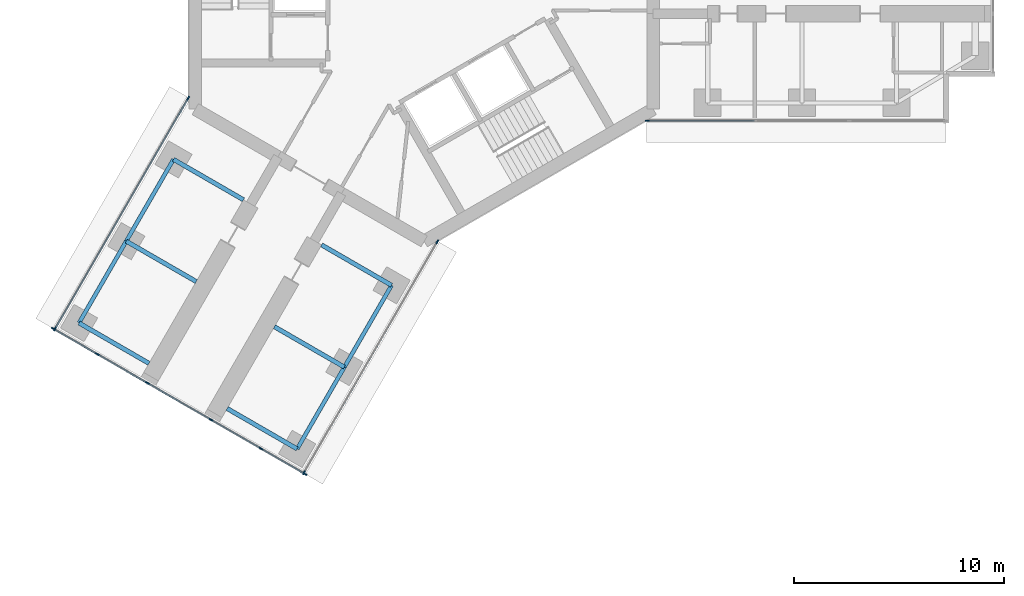
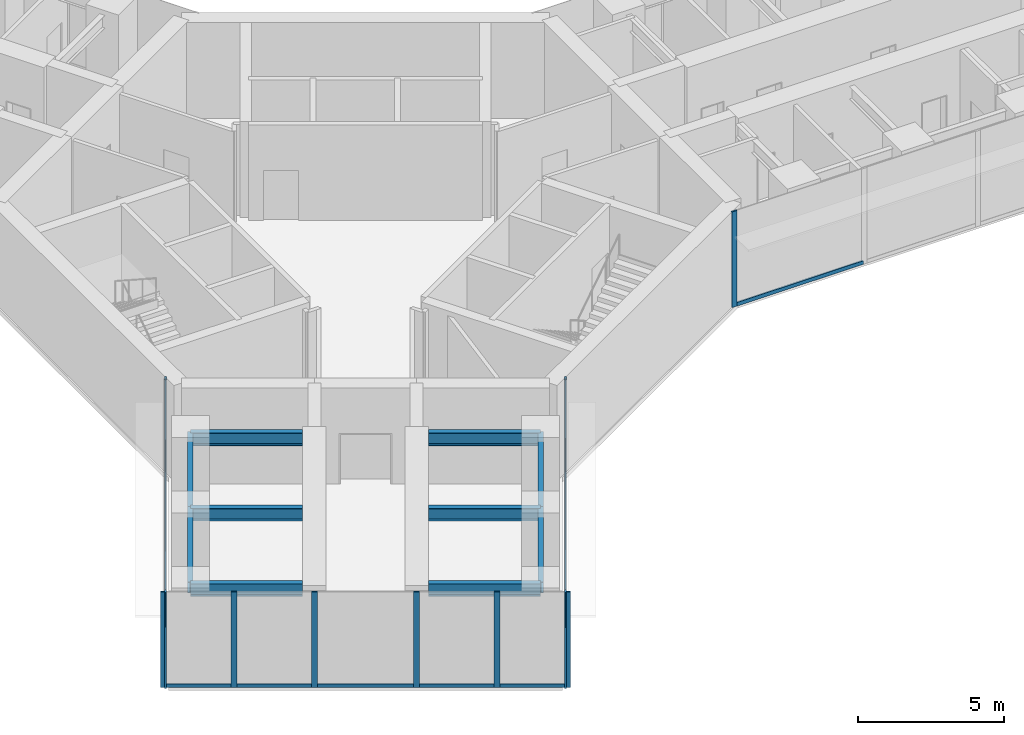
# One storey, part 2 of 22: 19 members, 10 beams, 4 elements without a shape of their own.
"""IFC4 building model written with IfcOpenShell, lengths in metres."""

from ifc_helpers import new_model, si_unit, direction, frame, origin, origin_2d, place, context, subcontext, project, spatial, rectangle, i_section, extrude, material, material_profile, profile_set, type_object, element, aggregate, save


model = new_model("IFC4")

# Units and contexts
model_context = context("Model", 3, precision=1e-05, world=origin(), true_north=direction((0.0, 1.0)))
body_context = subcontext(model_context, "Body", "Model", "MODEL_VIEW")
ifc_project = project(units=[si_unit("LENGTHUNIT", "METRE"), si_unit("AREAUNIT", "SQUARE_METRE"), si_unit("VOLUMEUNIT", "CUBIC_METRE"), si_unit("PLANEANGLEUNIT", "RADIAN"), si_unit("MASSUNIT", "GRAM", prefix="KILO")], contexts=[model_context])

# Site, building, storey
site_placement = place(None, origin())
site = spatial("IfcSite", under=ifc_project, at=site_placement, CompositionType="ELEMENT")
building_placement = place(site_placement, origin())
building = spatial("IfcBuilding", under=site, at=building_placement, Name="Upepo Twin Towers", CompositionType="ELEMENT")
storey_placement = place(building_placement, frame((0.0, 0.0, 125.5)))
storey = spatial("IfcBuildingStorey", under=building, at=storey_placement, Name="L30", CompositionType="ELEMENT", Elevation=125.5)

# Beams
ifc_material_1 = material(Name="Steel S355", Category="steel")
ifc_material_profile_1 = material_profile(ifc_material_1, i_section(OverallWidth=0.1904296875, OverallDepth=0.45703125, WebThickness=0.009033203125, FlangeThickness=0.014404296875, FilletRadius=0.01025390625, at=origin_2d()), Name="UB 457x191x74")
ifc_profile_set_1 = profile_set([ifc_material_profile_1], Name="Steel S355")
beam_type_1 = type_object("IfcBeamType", Name="Beam UB 457x191x74", PredefinedType="BEAM", material=ifc_profile_set_1)
beam_1_placement = place(storey_placement, frame((-1.553955078125, -14.69140625, 3.571533203125), z_axis=(-0.500013631625, -0.866017533419, 0.0), x_axis=(0.866017533419, -0.500013631625, 0.0)))
element("IfcBeam", 1, at=beam_1_placement, inside=storey, type_object=beam_type_1, Name="T1 edge beam CL 13.5-18.0", PredefinedType="BEAM", context=body_context, shape_type="SweptSolid", body=[
    extrude(i_section(OverallWidth=0.1904296875, OverallDepth=0.45703125, WebThickness=0.009033203125, FlangeThickness=0.014404296875, FilletRadius=0.01025390625, at=origin_2d()), origin(), (0.0, 0.0, 1.0), 4.499755859375),
])
beam_2_placement = place(storey_placement, frame((-3.803955078125, -18.58837890625, 3.571533203125), z_axis=(-0.499990139034, -0.866031096941, 0.0), x_axis=(0.866031096941, -0.499990139034, 0.0)))
element("IfcBeam", 2, at=beam_2_placement, inside=storey, type_object=beam_type_1, Name="T1 edge beam CL 18.0-22.5", PredefinedType="BEAM", context=body_context, shape_type="SweptSolid", body=[
    extrude(i_section(OverallWidth=0.1904296875, OverallDepth=0.45703125, WebThickness=0.009033203125, FlangeThickness=0.014404296875, FilletRadius=0.01025390625, at=origin_2d()), origin(), (0.0, 0.0, 1.0), 4.5),
])
beam_3_placement = place(storey_placement, frame((-11.946044921875, -8.69140625, 3.571533203125), z_axis=(-0.500013631625, -0.866017533419, 0.0), x_axis=(0.866017533419, -0.500013631625, 0.0)))
element("IfcBeam", 3, at=beam_3_placement, inside=storey, type_object=beam_type_1, Name="T1 edge beam CR 13.5-18.0", PredefinedType="BEAM", context=body_context, shape_type="SweptSolid", body=[
    extrude(i_section(OverallWidth=0.1904296875, OverallDepth=0.45703125, WebThickness=0.009033203125, FlangeThickness=0.014404296875, FilletRadius=0.01025390625, at=origin_2d()), origin(), (0.0, 0.0, 1.0), 4.499755859375),
])
beam_4_placement = place(storey_placement, frame((-14.196044921875, -12.58837890625, 3.571533203125), z_axis=(-0.499990139034, -0.866031096941, 0.0), x_axis=(0.866031096941, -0.499990139034, 0.0)))
element("IfcBeam", 4, at=beam_4_placement, inside=storey, type_object=beam_type_1, Name="T1 edge beam CR 18.0-22.5", PredefinedType="BEAM", context=body_context, shape_type="SweptSolid", body=[
    extrude(i_section(OverallWidth=0.1904296875, OverallDepth=0.45703125, WebThickness=0.009033203125, FlangeThickness=0.014404296875, FilletRadius=0.01025390625, at=origin_2d()), origin(), (0.0, 0.0, 1.0), 4.5),
])
ifc_material_2 = material(Name="Steel S355", Category="steel")
ifc_material_profile_2 = material_profile(ifc_material_2, i_section(OverallWidth=0.209228515625, OverallDepth=0.533203125, WebThickness=0.010009765625, FlangeThickness=0.015625, FilletRadius=0.0126953125, at=origin_2d()), Name="UB 533x210x92")
ifc_profile_set_2 = profile_set([ifc_material_profile_2], Name="Steel S355")
beam_type_2 = type_object("IfcBeamType", Name="Beam UB 533x210x92", PredefinedType="BEAM", material=ifc_profile_set_2)
beam_5_placement = place(storey_placement, frame((-1.553955078125, -14.69140625, 3.533447265625), z_axis=(-0.866006051527, 0.500033517596, 0.0), x_axis=(-0.500033517596, -0.866006051527, 0.0)))
element("IfcBeam", 5, at=beam_5_placement, inside=storey, type_object=beam_type_2, Name="T1 girder CL at 13.5", PredefinedType="BEAM", context=body_context, shape_type="SweptSolid", body=[
    extrude(i_section(OverallWidth=0.209228515625, OverallDepth=0.533203125, WebThickness=0.010009765625, FlangeThickness=0.015625, FilletRadius=0.0126953125, at=origin_2d()), origin(), (0.0, 0.0, 1.0), 3.849853515625),
])
beam_6_placement = place(storey_placement, frame((-3.803955078125, -18.58837890625, 3.533447265625), z_axis=(-0.866033512162, 0.499985955615, 0.0), x_axis=(-0.499985955615, -0.866033512162, 0.0)))
element("IfcBeam", 6, at=beam_6_placement, inside=storey, type_object=beam_type_2, Name="T1 girder CL at 18.0", PredefinedType="BEAM", context=body_context, shape_type="SweptSolid", body=[
    extrude(i_section(OverallWidth=0.209228515625, OverallDepth=0.533203125, WebThickness=0.010009765625, FlangeThickness=0.015625, FilletRadius=0.0126953125, at=origin_2d()), origin(), (0.0, 0.0, 1.0), 3.849609375),
])
for number, where, z_axis, x_axis, name in (
    (7, (-6.053955078125, -22.485595703125, 3.533447265625), (-0.866006051527, 0.500033517596, 0.0), (-0.500033517596, -0.866006051527, 0.0), "T1 girder CL at 22.5"),
    (8, (-11.946044921875, -8.69140625, 3.533447265625), (0.866006051527, -0.500033517596, 0.0), (0.500033517596, 0.866006051527, 0.0), "T1 girder CR at 13.5"),
    (9, (-14.196044921875, -12.58837890625, 3.533447265625), (0.866006051527, -0.500033517596, 0.0), (0.500033517596, 0.866006051527, 0.0), "T1 girder CR at 18.0"),
    (10, (-16.446044921875, -16.485595703125, 3.533447265625), (0.866006051527, -0.500033517596, 0.0), (0.500033517596, 0.866006051527, 0.0), "T1 girder CR at 22.5"),
):
    element("IfcBeam", number, at=place(storey_placement, frame(where, z_axis=z_axis, x_axis=x_axis)), inside=storey, type_object=beam_type_2, Name=name, PredefinedType="BEAM", context=body_context, shape_type="SweptSolid", body=[
        extrude(i_section(OverallWidth=0.209228515625, OverallDepth=0.533203125, WebThickness=0.010009765625, FlangeThickness=0.015625, FilletRadius=0.0126953125, at=origin_2d()), origin(), (0.0, 0.0, 1.0), 3.849853515625),
    ])

# Curtain wall, member
ifc_material_3 = material(Name="Aluminium and fritted glass", Category="aluminium")
curtain_wall_type = type_object("IfcCurtainWallType", Name="Tower curtain wall TW2, fritted glass", PredefinedType="NOTDEFINED", material=ifc_material_3)
curtain_wall_1_placement = place(storey_placement, origin())
curtain_wall_1 = element("IfcCurtainWall", 11, at=curtain_wall_1_placement, inside=storey, type_object=curtain_wall_type, Name="T1 L30 wing A flank R curtain wall", PredefinedType="NOTDEFINED")
ifc_material_4 = material(Name="Aluminium mullion", Category="aluminium")
ifc_material_profile_3 = material_profile(ifc_material_4, rectangle(XDim=0.06494140625, YDim=0.199951171875, at=origin_2d()), Name="MULLION 65x200")
ifc_profile_set_3 = profile_set([ifc_material_profile_3], Name="Aluminium mullion")
member_type_1 = type_object("IfcMemberType", Name="Mullion 65x200 TW2", PredefinedType="MULLION", material=ifc_profile_set_3)
member_1_placement = place(storey_placement, frame((10.61962890625, -6.85009765625, 0.0), z_axis=(0.0, 0.0, 1.0), x_axis=(0.0, -1.0, 0.0)))
member_1 = element("IfcMember", 12, at=member_1_placement, type_object=member_type_1, Name="T1 L30 wing A flank R curtain wall mullion 4", PredefinedType="MULLION", context=body_context, shape_type="SweptSolid", body=[
    extrude(rectangle(XDim=0.06494140625, YDim=0.199951171875, at=origin_2d()), origin(), (0.0, 0.0, 1.0), 4.0),
])

# Curtain wall, members
curtain_wall_2_placement = place(storey_placement, origin())
curtain_wall_2 = element("IfcCurtainWall", 13, at=curtain_wall_2_placement, inside=storey, type_object=curtain_wall_type, Name="T1 L30 wing C flank L curtain wall", PredefinedType="NOTDEFINED")
member_2_placement = place(storey_placement, frame((0.62255859375, -12.621826171875, 0.0), z_axis=(0.0, 0.0, 1.0), x_axis=(0.866025399212, -0.50000000792, 0.0)))
member_2 = element("IfcMember", 14, at=member_2_placement, type_object=member_type_1, Name="T1 L30 wing C flank L curtain wall mullion 1", PredefinedType="MULLION", context=body_context, shape_type="SweptSolid", body=[
    extrude(rectangle(XDim=0.06494140625, YDim=0.199951171875, at=origin_2d()), origin(), (0.0, 0.0, 1.0), 4.0),
])
member_3_placement = place(storey_placement, frame((-5.7265625, -23.61865234375, 0.0), z_axis=(0.0, 0.0, 1.0), x_axis=(0.866025399212, -0.50000000792, 0.0)))
member_3 = element("IfcMember", 15, at=member_3_placement, type_object=member_type_1, Name="T1 L30 wing C flank L curtain wall mullion 2", PredefinedType="MULLION", context=body_context, shape_type="SweptSolid", body=[
    extrude(rectangle(XDim=0.06494140625, YDim=0.199951171875, at=origin_2d()), origin(), (0.0, 0.0, 1.0), 4.0),
])

curtain_wall_3_placement = place(storey_placement, origin())
curtain_wall_3 = element("IfcCurtainWall", 16, at=curtain_wall_3_placement, inside=storey, type_object=curtain_wall_type, Name="T1 L30 wing C flank R curtain wall", PredefinedType="NOTDEFINED")
member_4_placement = place(storey_placement, frame((-17.591064453125, -16.7685546875, 0.0), z_axis=(0.0, 0.0, 1.0), x_axis=(-0.866025399212, 0.50000000792, 0.0)))
member_4 = element("IfcMember", 17, at=member_4_placement, type_object=member_type_1, Name="T1 L30 wing C flank R curtain wall mullion 1", PredefinedType="MULLION", context=body_context, shape_type="SweptSolid", body=[
    extrude(rectangle(XDim=0.06494140625, YDim=0.199951171875, at=origin_2d()), origin(), (0.0, 0.0, 1.0), 4.0),
])
member_5_placement = place(storey_placement, frame((-11.2421875, -5.77197265625, 0.0), z_axis=(0.0, 0.0, 1.0), x_axis=(-0.866025399212, 0.50000000792, 0.0)))
member_5 = element("IfcMember", 18, at=member_5_placement, type_object=member_type_1, Name="T1 L30 wing C flank R curtain wall mullion 2", PredefinedType="MULLION", context=body_context, shape_type="SweptSolid", body=[
    extrude(rectangle(XDim=0.06494140625, YDim=0.199951171875, at=origin_2d()), origin(), (0.0, 0.0, 1.0), 4.0),
])

curtain_wall_4_placement = place(storey_placement, origin())
curtain_wall_4 = element("IfcCurtainWall", 19, at=curtain_wall_4_placement, inside=storey, type_object=curtain_wall_type, Name="T1 L30 wing C nose curtain wall", PredefinedType="NOTDEFINED")
member_6_placement = place(storey_placement, frame((-17.665771484375, -16.762939453125, 0.0), z_axis=(0.0, 0.0, 1.0), x_axis=(0.499999972355, 0.866025419745, 0.0)))
member_6 = element("IfcMember", 20, at=member_6_placement, type_object=member_type_1, Name="T1 L30 wing C nose curtain wall mullion 1", PredefinedType="MULLION", context=body_context, shape_type="SweptSolid", body=[
    extrude(rectangle(XDim=0.06494140625, YDim=0.199951171875, at=origin_2d()), origin(), (0.0, 0.0, 1.0), 4.0),
])
member_7_placement = place(storey_placement, frame((-15.572021484375, -17.9716796875, 0.0), z_axis=(0.0, 0.0, 1.0), x_axis=(0.499999972355, 0.866025419745, 0.0)))
member_7 = element("IfcMember", 21, at=member_7_placement, type_object=member_type_1, Name="T1 L30 wing C nose curtain wall mullion 2", PredefinedType="MULLION", context=body_context, shape_type="SweptSolid", body=[
    extrude(rectangle(XDim=0.06494140625, YDim=0.199951171875, at=origin_2d()), origin(), (0.0, 0.0, 1.0), 4.0),
])
member_8_placement = place(storey_placement, frame((-13.1904296875, -19.3466796875, 0.0), z_axis=(0.0, 0.0, 1.0), x_axis=(0.499999972355, 0.866025419745, 0.0)))
member_8 = element("IfcMember", 22, at=member_8_placement, type_object=member_type_1, Name="T1 L30 wing C nose curtain wall mullion 3", PredefinedType="MULLION", context=body_context, shape_type="SweptSolid", body=[
    extrude(rectangle(XDim=0.06494140625, YDim=0.199951171875, at=origin_2d()), origin(), (0.0, 0.0, 1.0), 4.0),
])
member_9_placement = place(storey_placement, frame((-10.159423828125, -21.0966796875, 0.0), z_axis=(0.0, 0.0, 1.0), x_axis=(0.499999972355, 0.866025419745, 0.0)))
member_9 = element("IfcMember", 23, at=member_9_placement, type_object=member_type_1, Name="T1 L30 wing C nose curtain wall mullion 4", PredefinedType="MULLION", context=body_context, shape_type="SweptSolid", body=[
    extrude(rectangle(XDim=0.06494140625, YDim=0.199951171875, at=origin_2d()), origin(), (0.0, 0.0, 1.0), 4.0),
])
member_10_placement = place(storey_placement, frame((-7.77783203125, -22.4716796875, 0.0), z_axis=(0.0, 0.0, 1.0), x_axis=(0.499999972355, 0.866025419745, 0.0)))
member_10 = element("IfcMember", 24, at=member_10_placement, type_object=member_type_1, Name="T1 L30 wing C nose curtain wall mullion 5", PredefinedType="MULLION", context=body_context, shape_type="SweptSolid", body=[
    extrude(rectangle(XDim=0.06494140625, YDim=0.199951171875, at=origin_2d()), origin(), (0.0, 0.0, 1.0), 4.0),
])
member_11_placement = place(storey_placement, frame((-5.684326171875, -23.680419921875, 0.0), z_axis=(0.0, 0.0, 1.0), x_axis=(0.499999972355, 0.866025419745, 0.0)))
member_11 = element("IfcMember", 25, at=member_11_placement, type_object=member_type_1, Name="T1 L30 wing C nose curtain wall mullion 6", PredefinedType="MULLION", context=body_context, shape_type="SweptSolid", body=[
    extrude(rectangle(XDim=0.06494140625, YDim=0.199951171875, at=origin_2d()), origin(), (0.0, 0.0, 1.0), 4.0),
])

# Member
ifc_material_5 = material(Name="Aluminium transom", Category="aluminium")
ifc_material_profile_4 = material_profile(ifc_material_5, rectangle(XDim=0.06494140625, YDim=0.14990234375, at=origin_2d()), Name="TRANSOM 65x150")
ifc_profile_set_4 = profile_set([ifc_material_profile_4], Name="Aluminium transom")
member_type_2 = type_object("IfcMemberType", Name="Transom 65x150 TW2", PredefinedType="USERDEFINED", material=ifc_profile_set_4)
member_12_placement = place(storey_placement, frame((15.717529296875, -6.85009765625, 0.074951171875), z_axis=(-1.0, 0.0, 0.0), x_axis=(0.0, -1.0, 0.0)))
member_12 = element("IfcMember", 26, at=member_12_placement, type_object=member_type_2, Name="T1 L30 wing A flank R curtain wall transom 3", ObjectType="TRANSOM", PredefinedType="USERDEFINED", context=body_context, shape_type="SweptSolid", body=[
    extrude(rectangle(XDim=0.06494140625, YDim=0.14990234375, at=origin_2d()), origin(), (0.0, 0.0, 1.0), 5.0654296875),
])

aggregate(curtain_wall_1, [member_1, member_12])

member_13_placement = place(storey_placement, frame((0.606201171875, -12.64990234375, 0.074951171875), z_axis=(-0.499996807431, -0.866027247007, 0.0), x_axis=(0.866027247007, -0.499996807431, 0.0)))
member_13 = element("IfcMember", 27, at=member_13_placement, type_object=member_type_2, Name="T1 L30 wing C flank L curtain wall transom 1", ObjectType="TRANSOM", PredefinedType="USERDEFINED", context=body_context, shape_type="SweptSolid", body=[
    extrude(rectangle(XDim=0.06494140625, YDim=0.14990234375, at=origin_2d()), origin(), (0.0, 0.0, 1.0), 12.6328125),
])

aggregate(curtain_wall_2, [member_2, member_3, member_13])

member_14_placement = place(storey_placement, frame((-17.57470703125, -16.740478515625, 0.074951171875), z_axis=(0.499996807431, 0.866027247007, 0.0), x_axis=(-0.866027247007, 0.499996807431, 0.0)))
member_14 = element("IfcMember", 28, at=member_14_placement, type_object=member_type_2, Name="T1 L30 wing C flank R curtain wall transom 1", ObjectType="TRANSOM", PredefinedType="USERDEFINED", context=body_context, shape_type="SweptSolid", body=[
    extrude(rectangle(XDim=0.06494140625, YDim=0.14990234375, at=origin_2d()), origin(), (0.0, 0.0, 1.0), 12.6328125),
])

aggregate(curtain_wall_3, [member_4, member_5, member_14])

member_15_placement = place(storey_placement, frame((-17.6376953125, -16.779296875, 0.074951171875), z_axis=(0.866069800327, -0.499923095048, 0.0), x_axis=(0.499923095048, 0.866069800327, 0.0)))
member_15 = element("IfcMember", 29, at=member_15_placement, type_object=member_type_2, Name="T1 L30 wing C nose curtain wall transom 1", ObjectType="TRANSOM", PredefinedType="USERDEFINED", context=body_context, shape_type="SweptSolid", body=[
    extrude(rectangle(XDim=0.06494140625, YDim=0.14990234375, at=origin_2d()), origin(), (0.0, 0.0, 1.0), 2.352294921875),
])

member_16_placement = place(storey_placement, frame((-15.5439453125, -17.988037109375, 0.074951171875), z_axis=(0.8660523339, -0.49995335277, 0.0), x_axis=(0.49995335277, 0.8660523339, 0.0)))
member_16 = element("IfcMember", 30, at=member_16_placement, type_object=member_type_2, Name="T1 L30 wing C nose curtain wall transom 2", ObjectType="TRANSOM", PredefinedType="USERDEFINED", context=body_context, shape_type="SweptSolid", body=[
    extrude(rectangle(XDim=0.06494140625, YDim=0.14990234375, at=origin_2d()), origin(), (0.0, 0.0, 1.0), 2.684814453125),
])

member_17_placement = place(storey_placement, frame((-13.162353515625, -19.363037109375, 0.074951171875), z_axis=(0.866056579774, -0.499945997713, 0.0), x_axis=(0.499945997713, 0.866056579774, 0.0)))
member_17 = element("IfcMember", 31, at=member_17_placement, type_object=member_type_2, Name="T1 L30 wing C nose curtain wall transom 3", ObjectType="TRANSOM", PredefinedType="USERDEFINED", context=body_context, shape_type="SweptSolid", body=[
    extrude(rectangle(XDim=0.06494140625, YDim=0.14990234375, at=origin_2d()), origin(), (0.0, 0.0, 1.0), 3.43505859375),
])

member_18_placement = place(storey_placement, frame((-10.13134765625, -21.113037109375, 0.074951171875), z_axis=(0.8660523339, -0.49995335277, 0.0), x_axis=(0.49995335277, 0.8660523339, 0.0)))
member_18 = element("IfcMember", 32, at=member_18_placement, type_object=member_type_2, Name="T1 L30 wing C nose curtain wall transom 4", ObjectType="TRANSOM", PredefinedType="USERDEFINED", context=body_context, shape_type="SweptSolid", body=[
    extrude(rectangle(XDim=0.06494140625, YDim=0.14990234375, at=origin_2d()), origin(), (0.0, 0.0, 1.0), 2.684814453125),
])

member_19_placement = place(storey_placement, frame((-7.749755859375, -22.488037109375, 0.074951171875), z_axis=(0.866024864377, -0.50000093428, 0.0), x_axis=(0.50000093428, 0.866024864377, 0.0)))
member_19 = element("IfcMember", 33, at=member_19_placement, type_object=member_type_2, Name="T1 L30 wing C nose curtain wall transom 5", ObjectType="TRANSOM", PredefinedType="USERDEFINED", context=body_context, shape_type="SweptSolid", body=[
    extrude(rectangle(XDim=0.06494140625, YDim=0.14990234375, at=origin_2d()), origin(), (0.0, 0.0, 1.0), 2.3525390625),
])

aggregate(curtain_wall_4, [member_6, member_7, member_8, member_9, member_10, member_11, member_15, member_16, member_17, member_18, member_19])

save(model, "model.ifc")
